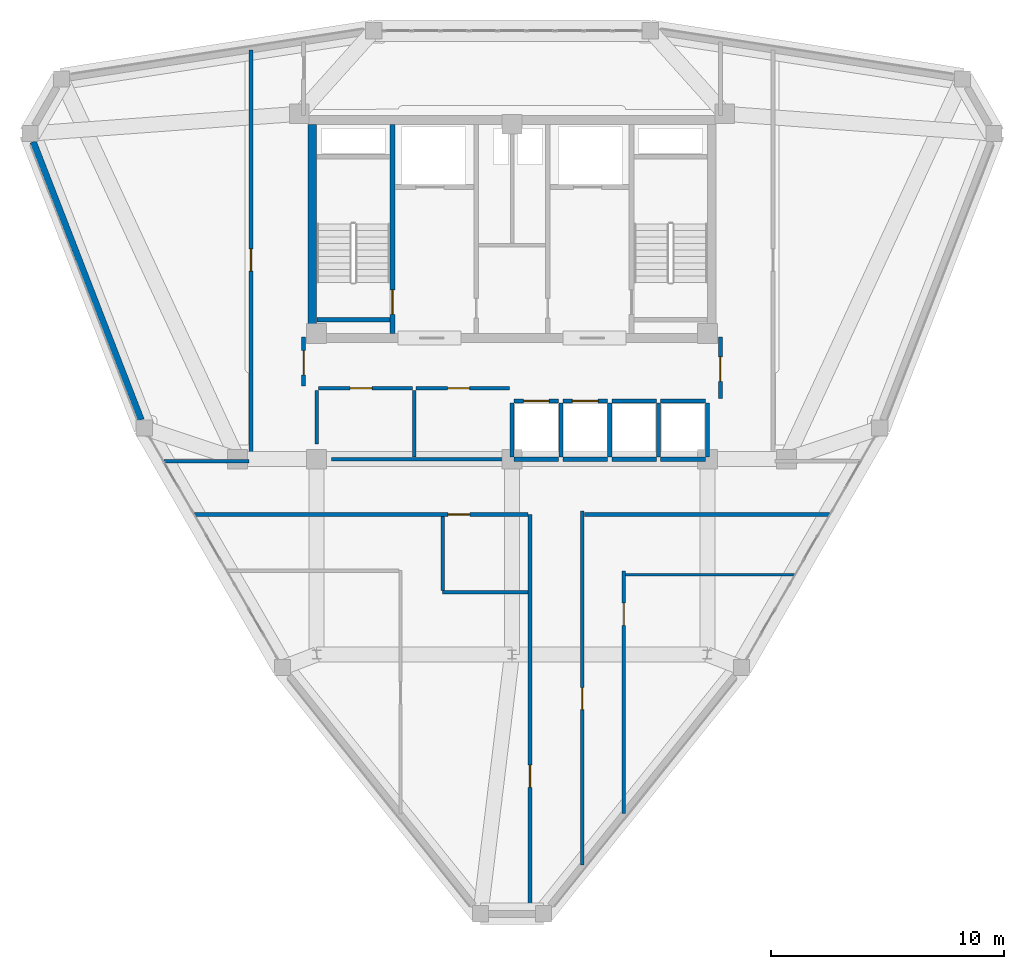
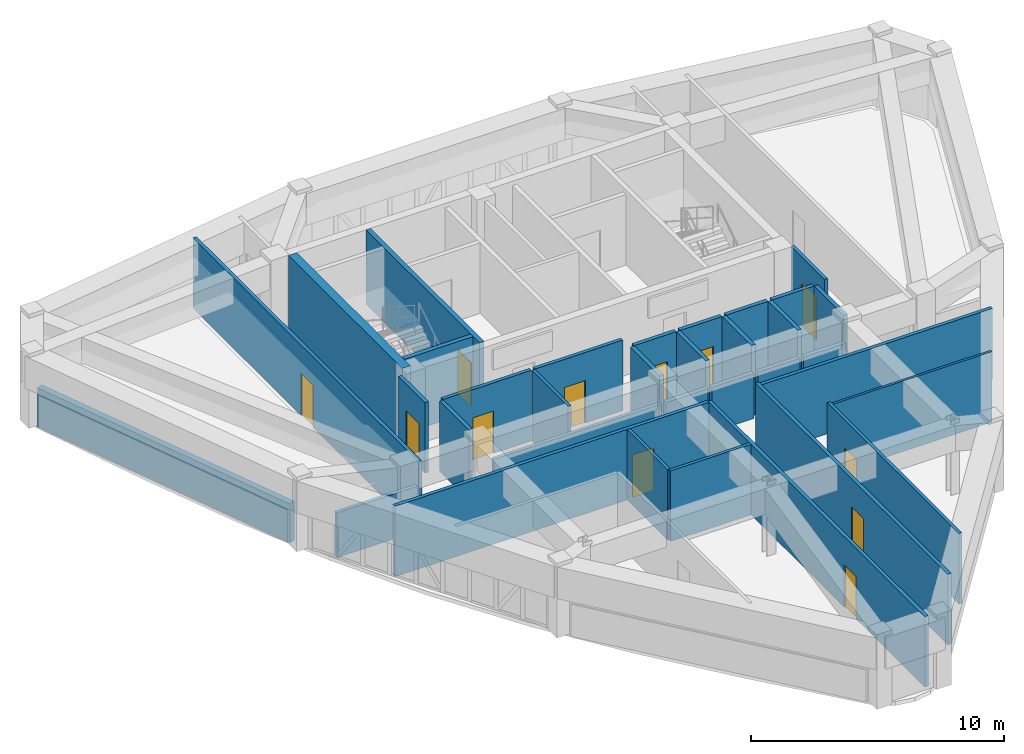
# One storey, part 11 of 14: 34 walls, 12 doors, 12 openings.
"""IFC4 building model written with IfcOpenShell, lengths in metres."""

from ifc_helpers import new_model, si_unit, derived_unit, direction, frame, frame_2d, origin, place, context, subcontext, project, spatial, rectangle, extrude, material, layer, layer_set, type_object, element, fill, save


model = new_model("IFC4")

# Units and contexts
model_context = context("Model", 3, precision=1e-05, world=origin(), true_north=direction((0.0, 1.0)))
body_context = subcontext(model_context, "Body", "Model", "MODEL_VIEW")
ifc_project = project(units=[si_unit("LENGTHUNIT", "METRE"), si_unit("AREAUNIT", "SQUARE_METRE"), si_unit("VOLUMEUNIT", "CUBIC_METRE"), si_unit("PLANEANGLEUNIT", "RADIAN"), si_unit("MASSUNIT", "GRAM", prefix="KILO"), derived_unit("THERMALTRANSMITTANCEUNIT", [(si_unit("POWERUNIT", "WATT"), 1), (si_unit("LENGTHUNIT", "METRE"), -2), (si_unit("THERMODYNAMICTEMPERATUREUNIT", "KELVIN"), -1)])], contexts=[model_context])

# Site, building, storey
site_placement = place(None, origin())
site = spatial("IfcSite", under=ifc_project, at=site_placement, CompositionType="ELEMENT")
building_placement = place(site_placement, origin())
building = spatial("IfcBuilding", under=site, at=building_placement, Name="Korsvarv Bourse and Concert Hall", CompositionType="ELEMENT")
storey_placement = place(building_placement, frame((0.0, 0.0, 257.39990234375)))
storey = spatial("IfcBuildingStorey", under=building, at=storey_placement, Name="L67", CompositionType="ELEMENT", Elevation=257.39990234375)

# Wall
ifc_material_1 = material(Name="Concrete C50/60", Category="concrete")
ifc_layer_1 = layer(ifc_material_1, 0.3798828125)
ifc_layer_set_1 = layer_set([ifc_layer_1], Name="Concrete C50/60")
wall_type_1 = type_object("IfcWallType", Name="WL-CORE-380", PredefinedType="SHEAR", material=ifc_layer_set_1)
wall_1_placement = place(storey_placement, frame((27.409912109375, 37.800048828125, 0.0), z_axis=(0.0, 0.0, 1.0), x_axis=(0.0, 1.0, 0.0)))
element("IfcWall", 1, at=wall_1_placement, inside=storey, type_object=wall_type_1, Name="L67 West Core Shear Wall", PredefinedType="SHEAR", context=body_context, shape_type="SweptSolid", body=[
    extrude(rectangle(XDim=9.0, YDim=0.3798828125, at=frame_2d((4.5, 0.0))), origin(), (0.0, 0.0, 1.0), 3.60009765625),
])

# Wall, opening, door
wall_2_placement = place(storey_placement, frame((30.860107421875, 37.81005859375, 0.0), z_axis=(0.0, 0.0, 1.0), x_axis=(0.0, 1.0, 0.0)))
wall_2 = element("IfcWall", 2, at=wall_2_placement, inside=storey, type_object=wall_type_1, Name="L67 stair shaft structural wall W-L67-ST1-E", PredefinedType="SHEAR", context=body_context, shape_type="SweptSolid", body=[
    extrude(rectangle(XDim=8.97998046875, YDim=0.199951171875, at=frame_2d((4.489990234375, 0.0))), origin(), (0.0, 0.0, 1.0), 3.60009765625),
])
opening_1_placement = place(wall_2_placement, frame((0.820068359375, 0.0, 0.0)))
opening_1 = element("IfcOpeningElement", 3, at=opening_1_placement, cuts=wall_2, Name="Opening D-01", PredefinedType="OPENING", context=body_context, shape_type="SweptSolid", body=[
    extrude(rectangle(XDim=1.050048828125, YDim=2.10009765625, at=frame_2d((0.52490234375, 1.050048828125))), frame((0.0, 0.10986328125, 0.0), z_axis=(0.0, -1.0, 0.0), x_axis=(1.0, 0.0, 0.0)), (0.0, 0.0, 1.0), 0.219970703125),
])
ifc_material_2 = material(Name="Steel S355 fire door", Category="steel")
door_type_1 = type_object("IfcDoorType", Name="DR-FD60", OperationType="NOTDEFINED", PredefinedType="DOOR", material=ifc_material_2)
door_1_placement = place(opening_1_placement, origin())
door_1 = element("IfcDoor", 4, at=door_1_placement, inside=storey, type_object=door_type_1, Name="L67 interior door DR-L67-ST1", OperationType="SINGLE_SWING_RIGHT", OverallHeight=2.10009765625, OverallWidth=1.050048828125, PredefinedType="DOOR", context=body_context, shape_type="SweptSolid", body=[
    extrude(rectangle(XDim=1.050048828125, YDim=2.10009765625, at=frame_2d((0.52490234375, 1.050048828125))), frame((0.0, 0.02490234375, 0.0), z_axis=(0.0, -1.0, 0.0), x_axis=(1.0, 0.0, 0.0)), (0.0, 0.0, 1.0), 0.050048828125),
])
fill(opening_1, door_1)

# Walls
wall_3_placement = place(storey_placement, frame((27.610107421875, 38.39990234375, 0.0), z_axis=(0.0, 0.0, 1.0), x_axis=(1.0, 0.0, 0.0)))
element("IfcWall", 5, at=wall_3_placement, inside=storey, type_object=wall_type_1, Name="L67 stair shaft structural wall W-L67-ST1-S", PredefinedType="SHEAR", context=body_context, shape_type="SweptSolid", body=[
    extrude(rectangle(XDim=3.139892578125, YDim=0.199951171875, at=frame_2d((1.56982421875, 0.0))), origin(), (0.0, 0.0, 1.0), 3.60009765625),
])
ifc_material_3 = material(Name="Precast concrete C45/55 with fluted terracotta pier", Category="concrete")
ifc_layer_2 = layer(ifc_material_3, 0.280029296875)
ifc_layer_set_2 = layer_set([ifc_layer_2], Name="Precast concrete C45/55 with fluted terracotta pier")
wall_type_2 = type_object("IfcWallType", Name="WL-EXT-TC2", PredefinedType="SOLIDWALL", material=ifc_layer_set_2)
wall_4_placement = place(storey_placement, frame((15.41259765625, 46.044189453125, 0.0), z_axis=(0.0, 0.0, 1.0), x_axis=(0.36191228283, -0.932212153716, 0.0)))
element("IfcWall", 6, at=wall_4_placement, inside=storey, type_object=wall_type_2, Name="L67 terracotta exterior wall EW-L67-B06", PredefinedType="SOLIDWALL", context=body_context, shape_type="SweptSolid", body=[
    extrude(rectangle(XDim=12.820556640625, YDim=0.280029296875, at=frame_2d((6.41015625, 0.0))), origin(), (0.0, 0.0, 1.0), 1.880126953125),
])
ifc_material_4 = material(Name="Double-stud fire-rated acoustic partition", Category="gypsum")
ifc_layer_3 = layer(ifc_material_4, 0.159912109375)
ifc_layer_set_3 = layer_set([ifc_layer_3], Name="Double-stud fire-rated acoustic partition")
wall_type_3 = type_object("IfcWallType", Name="WL-INT-EI60", PredefinedType="PARTITIONING", material=ifc_layer_set_3)
wall_5_placement = place(storey_placement, frame((28.25, 32.39990234375, 0.0), z_axis=(0.0, 0.0, 1.0), x_axis=(1.0, 0.0, 0.0)))
element("IfcWall", 7, at=wall_5_placement, inside=storey, type_object=wall_type_3, Name="L67 interior partition wall W-L67-FRD-S", PredefinedType="PARTITIONING", context=body_context, shape_type="SweptSolid", body=[
    extrude(rectangle(XDim=7.64990234375, YDim=0.159912109375, at=frame_2d((3.824951171875, 0.0))), origin(), (0.0, 0.0, 1.0), 2.170166015625),
])
wall_6_placement = place(storey_placement, frame((27.60009765625, 33.050048828125, 0.0), z_axis=(0.0, 0.0, 1.0), x_axis=(0.0, 1.0, 0.0)))
element("IfcWall", 8, at=wall_6_placement, inside=storey, type_object=wall_type_3, Name="L67 interior partition wall W-L67-FRD-W", PredefinedType="PARTITIONING", context=body_context, shape_type="SweptSolid", body=[
    extrude(rectangle(XDim=2.31005859375, YDim=0.159912109375, at=frame_2d((1.155029296875, 0.0))), origin(), (0.0, 0.0, 1.0), 3.41015625),
])

# Wall, opening, door
wall_7_placement = place(storey_placement, frame((27.68994140625, 35.449951171875, 0.0), z_axis=(0.0, 0.0, 1.0), x_axis=(1.0, 0.0, 0.0)))
wall_7 = element("IfcWall", 9, at=wall_7_placement, inside=storey, type_object=wall_type_3, Name="L67 interior partition wall W-L67-FRD-N1", PredefinedType="PARTITIONING", context=body_context, shape_type="SweptSolid", body=[
    extrude(rectangle(XDim=4.030029296875, YDim=0.159912109375, at=frame_2d((2.01513671875, 0.0))), origin(), (0.0, 0.0, 1.0), 3.41015625),
])
opening_2_placement = place(wall_7_placement, frame((1.35009765625, 0.0, 0.0)))
opening_2 = element("IfcOpeningElement", 10, at=opening_2_placement, cuts=wall_7, Name="Opening D-03", PredefinedType="OPENING", context=body_context, shape_type="SweptSolid", body=[
    extrude(rectangle(XDim=0.949951171875, YDim=2.050048828125, at=frame_2d((0.47509765625, 1.02490234375))), frame((0.0, 0.08984375, 0.0), z_axis=(0.0, -1.0, 0.0), x_axis=(1.0, 0.0, 0.0)), (0.0, 0.0, 1.0), 0.179931640625),
])
ifc_material_5 = material(Name="Nordic oak acoustic office door", Category="wood")
door_type_2 = type_object("IfcDoorType", Name="DR-INT-1", OperationType="NOTDEFINED", PredefinedType="DOOR", material=ifc_material_5)
door_2_placement = place(opening_2_placement, origin())
door_2 = element("IfcDoor", 11, at=door_2_placement, inside=storey, type_object=door_type_2, Name="L67 interior door DR-L67-FRDN1", OperationType="SINGLE_SWING_RIGHT", OverallHeight=2.050048828125, OverallWidth=0.949951171875, PredefinedType="DOOR", context=body_context, shape_type="SweptSolid", body=[
    extrude(rectangle(XDim=0.949951171875, YDim=2.050048828125, at=frame_2d((0.47509765625, 1.02490234375))), frame((0.0, 0.02490234375, 0.0), z_axis=(0.0, -1.0, 0.0), x_axis=(1.0, 0.0, 0.0)), (0.0, 0.0, 1.0), 0.050048828125),
])
fill(opening_2, door_2)

wall_8_placement = place(storey_placement, frame((31.8798828125, 35.449951171875, 0.0), z_axis=(0.0, 0.0, 1.0), x_axis=(1.0, 0.0, 0.0)))
wall_8 = element("IfcWall", 12, at=wall_8_placement, inside=storey, type_object=wall_type_3, Name="L67 interior partition wall W-L67-FRD-N2", PredefinedType="PARTITIONING", context=body_context, shape_type="SweptSolid", body=[
    extrude(rectangle(XDim=4.02001953125, YDim=0.159912109375, at=frame_2d((2.010009765625, 0.0))), origin(), (0.0, 0.0, 1.0), 3.41015625),
])
opening_3_placement = place(wall_8_placement, frame((1.35009765625, 0.0, 0.0)))
opening_3 = element("IfcOpeningElement", 13, at=opening_3_placement, cuts=wall_8, Name="Opening D-03", PredefinedType="OPENING", context=body_context, shape_type="SweptSolid", body=[
    extrude(rectangle(XDim=0.949951171875, YDim=2.050048828125, at=frame_2d((0.47509765625, 1.02490234375))), frame((0.0, 0.08984375, 0.0), z_axis=(0.0, -1.0, 0.0), x_axis=(1.0, 0.0, 0.0)), (0.0, 0.0, 1.0), 0.179931640625),
])
door_3_placement = place(opening_3_placement, origin())
door_3 = element("IfcDoor", 14, at=door_3_placement, inside=storey, type_object=door_type_2, Name="L67 interior door DR-L67-FRDN2", OperationType="SINGLE_SWING_LEFT", OverallHeight=2.050048828125, OverallWidth=0.949951171875, PredefinedType="DOOR", context=body_context, shape_type="SweptSolid", body=[
    extrude(rectangle(XDim=0.949951171875, YDim=2.050048828125, at=frame_2d((0.47509765625, 1.02490234375))), frame((0.0, 0.02490234375, 0.0), z_axis=(0.0, -1.0, 0.0), x_axis=(1.0, 0.0, 0.0)), (0.0, 0.0, 1.0), 0.050048828125),
])
fill(opening_3, door_3)

wall_9_placement = place(storey_placement, frame((27.0400390625, 35.5400390625, 0.0), z_axis=(0.0, 0.0, 1.0), x_axis=(0.0, 1.0, 0.0)))
wall_9 = element("IfcWall", 15, at=wall_9_placement, inside=storey, type_object=wall_type_3, Name="L67 interior partition wall W-L67-LOB-WL", PredefinedType="PARTITIONING", context=body_context, shape_type="SweptSolid", body=[
    extrude(rectangle(XDim=2.10986328125, YDim=0.159912109375, at=frame_2d((1.054931640625, 0.0))), origin(), (0.0, 0.0, 1.0), 3.41015625),
])
opening_4_placement = place(wall_9_placement, frame((0.47998046875, 0.0, 0.0)))
opening_4 = element("IfcOpeningElement", 16, at=opening_4_placement, cuts=wall_9, Name="Opening D-01", PredefinedType="OPENING", context=body_context, shape_type="SweptSolid", body=[
    extrude(rectangle(XDim=1.050048828125, YDim=2.10009765625, at=frame_2d((0.52490234375, 1.050048828125))), frame((0.0, 0.08984375, 0.0), z_axis=(0.0, -1.0, 0.0), x_axis=(1.0, 0.0, 0.0)), (0.0, 0.0, 1.0), 0.179931640625),
])
door_4_placement = place(opening_4_placement, frame((1.050048828125, 0.0, 0.0), z_axis=(0.0, 0.0, 1.0), x_axis=(-1.0, 0.0, 0.0)))
door_4 = element("IfcDoor", 17, at=door_4_placement, inside=storey, type_object=door_type_1, Name="L67 interior door DR-L67-LOBW", OperationType="SINGLE_SWING_RIGHT", OverallHeight=2.10009765625, OverallWidth=1.050048828125, PredefinedType="DOOR", context=body_context, shape_type="SweptSolid", body=[
    extrude(rectangle(XDim=1.050048828125, YDim=2.10009765625, at=frame_2d((0.52490234375, 1.050048828125))), frame((0.0, 0.02490234375, 0.0), z_axis=(0.0, -1.0, 0.0), x_axis=(1.0, 0.0, 0.0)), (0.0, 0.0, 1.0), 0.050048828125),
])
fill(opening_4, door_4)

wall_10_placement = place(storey_placement, frame((44.9599609375, 35.0, 0.0), z_axis=(0.0, 0.0, 1.0), x_axis=(0.0, 1.0, 0.0)))
wall_10 = element("IfcWall", 18, at=wall_10_placement, inside=storey, type_object=wall_type_3, Name="L67 interior partition wall W-L67-LOB-E", PredefinedType="PARTITIONING", context=body_context, shape_type="SweptSolid", body=[
    extrude(rectangle(XDim=2.64990234375, YDim=0.159912109375, at=frame_2d((1.324951171875, 0.0))), origin(), (0.0, 0.0, 1.0), 3.41015625),
])
opening_5_placement = place(wall_10_placement, frame((0.75, 0.0, 0.0)))
opening_5 = element("IfcOpeningElement", 19, at=opening_5_placement, cuts=wall_10, Name="Opening D-01", PredefinedType="OPENING", context=body_context, shape_type="SweptSolid", body=[
    extrude(rectangle(XDim=1.050048828125, YDim=2.10009765625, at=frame_2d((0.52490234375, 1.050048828125))), frame((0.0, 0.08984375, 0.0), z_axis=(0.0, -1.0, 0.0), x_axis=(1.0, 0.0, 0.0)), (0.0, 0.0, 1.0), 0.179931640625),
])
door_5_placement = place(opening_5_placement, origin())
door_5 = element("IfcDoor", 20, at=door_5_placement, inside=storey, type_object=door_type_1, Name="L67 interior door DR-L67-LOBE", OperationType="SINGLE_SWING_LEFT", OverallHeight=2.10009765625, OverallWidth=1.050048828125, PredefinedType="DOOR", context=body_context, shape_type="SweptSolid", body=[
    extrude(rectangle(XDim=1.050048828125, YDim=2.10009765625, at=frame_2d((0.52490234375, 1.050048828125))), frame((0.0, 0.02490234375, 0.0), z_axis=(0.0, -1.0, 0.0), x_axis=(1.0, 0.0, 0.0)), (0.0, 0.0, 1.0), 0.050048828125),
])
fill(opening_5, door_5)

wall_11_placement = place(storey_placement, frame((24.77490234375, 32.159912109375, 0.0), z_axis=(0.0, 0.0, 1.0), x_axis=(0.0, 1.0, 0.0)))
wall_11 = element("IfcWall", 21, at=wall_11_placement, inside=storey, type_object=wall_type_3, Name="L67 interior partition wall W-L67-TCOR-02", PredefinedType="PARTITIONING", context=body_context, shape_type="SweptSolid", body=[
    extrude(rectangle(XDim=17.8271484375, YDim=0.159912109375, at=frame_2d((8.91357421875, 0.0))), origin(), (0.0, 0.0, 1.0), 3.41015625),
])
opening_6_placement = place(wall_11_placement, frame((8.330322265625, 0.0, 0.0)))
opening_6 = element("IfcOpeningElement", 22, at=opening_6_placement, cuts=wall_11, Name="Opening D-02", PredefinedType="OPENING", context=body_context, shape_type="SweptSolid", body=[
    extrude(rectangle(XDim=0.949951171875, YDim=2.050048828125, at=frame_2d((0.47509765625, 1.02490234375))), frame((0.0, 0.08984375, 0.0), z_axis=(0.0, -1.0, 0.0), x_axis=(1.0, 0.0, 0.0)), (0.0, 0.0, 1.0), 0.179931640625),
])
ifc_material_6 = material(Name="Timber and steel acoustic fire door", Category="wood")
door_type_3 = type_object("IfcDoorType", Name="DR-FD30", OperationType="NOTDEFINED", PredefinedType="DOOR", material=ifc_material_6)
door_6_placement = place(opening_6_placement, origin())
door_6 = element("IfcDoor", 23, at=door_6_placement, inside=storey, type_object=door_type_3, Name="L67 interior door DR-L67-TCOR-NWC7", OperationType="SINGLE_SWING_LEFT", OverallHeight=2.050048828125, OverallWidth=0.949951171875, PredefinedType="DOOR", context=body_context, shape_type="SweptSolid", body=[
    extrude(rectangle(XDim=0.949951171875, YDim=2.050048828125, at=frame_2d((0.47509765625, 1.02490234375))), frame((0.0, 0.02490234375, 0.0), z_axis=(0.0, -1.0, 0.0), x_axis=(1.0, 0.0, 0.0)), (0.0, 0.0, 1.0), 0.050048828125),
])
fill(opening_6, door_6)

wall_12_placement = place(storey_placement, frame((36.77490234375, 12.871826171875, 0.0), z_axis=(0.0, 0.0, 1.0), x_axis=(0.0, 1.0, 0.0)))
wall_12 = element("IfcWall", 24, at=wall_12_placement, inside=storey, type_object=wall_type_3, Name="L67 interior partition wall W-L67-TCOR-03", PredefinedType="PARTITIONING", context=body_context, shape_type="SweptSolid", body=[
    extrude(rectangle(XDim=17.158203125, YDim=0.159912109375, at=frame_2d((8.5791015625, 0.0))), origin(), (0.0, 0.0, 1.0), 3.41015625),
])
opening_7_placement = place(wall_12_placement, frame((5.42138671875, 0.0, 0.0)))
opening_7 = element("IfcOpeningElement", 25, at=opening_7_placement, cuts=wall_12, Name="Opening D-02", PredefinedType="OPENING", context=body_context, shape_type="SweptSolid", body=[
    extrude(rectangle(XDim=0.949951171875, YDim=2.050048828125, at=frame_2d((0.47509765625, 1.02490234375))), frame((0.0, 0.08984375, 0.0), z_axis=(0.0, -1.0, 0.0), x_axis=(1.0, 0.0, 0.0)), (0.0, 0.0, 1.0), 0.179931640625),
])
door_7_placement = place(opening_7_placement, origin())
door_7 = element("IfcDoor", 26, at=door_7_placement, inside=storey, type_object=door_type_3, Name="L67 interior door DR-L67-TCOR-SWB6", OperationType="SINGLE_SWING_RIGHT", OverallHeight=2.050048828125, OverallWidth=0.949951171875, PredefinedType="DOOR", context=body_context, shape_type="SweptSolid", body=[
    extrude(rectangle(XDim=0.949951171875, YDim=2.050048828125, at=frame_2d((0.47509765625, 1.02490234375))), frame((0.0, 0.02490234375, 0.0), z_axis=(0.0, -1.0, 0.0), x_axis=(1.0, 0.0, 0.0)), (0.0, 0.0, 1.0), 0.050048828125),
])
fill(opening_7, door_7)

wall_13_placement = place(storey_placement, frame((39.02490234375, 14.9482421875, 0.0), z_axis=(0.0, 0.0, 1.0), x_axis=(0.0, 1.0, 0.0)))
wall_13 = element("IfcWall", 27, at=wall_13_placement, inside=storey, type_object=wall_type_3, Name="L67 interior partition wall W-L67-TCOR-04", PredefinedType="PARTITIONING", context=body_context, shape_type="SweptSolid", body=[
    extrude(rectangle(XDim=15.231689453125, YDim=0.159912109375, at=frame_2d((7.61572265625, 0.0))), origin(), (0.0, 0.0, 1.0), 3.41015625),
])
opening_8_placement = place(wall_13_placement, frame((6.6796875, 0.0, 0.0)))
opening_8 = element("IfcOpeningElement", 28, at=opening_8_placement, cuts=wall_13, Name="Opening D-02", PredefinedType="OPENING", context=body_context, shape_type="SweptSolid", body=[
    extrude(rectangle(XDim=0.949951171875, YDim=2.050048828125, at=frame_2d((0.47509765625, 1.02490234375))), frame((0.0, 0.08984375, 0.0), z_axis=(0.0, -1.0, 0.0), x_axis=(1.0, 0.0, 0.0)), (0.0, 0.0, 1.0), 0.179931640625),
])
door_8_placement = place(opening_8_placement, origin())
door_8 = element("IfcDoor", 29, at=door_8_placement, inside=storey, type_object=door_type_3, Name="L67 interior door DR-L67-TCOR-SEB2", OperationType="SINGLE_SWING_LEFT", OverallHeight=2.050048828125, OverallWidth=0.949951171875, PredefinedType="DOOR", context=body_context, shape_type="SweptSolid", body=[
    extrude(rectangle(XDim=0.949951171875, YDim=2.050048828125, at=frame_2d((0.47509765625, 1.02490234375))), frame((0.0, 0.02490234375, 0.0), z_axis=(0.0, -1.0, 0.0), x_axis=(1.0, 0.0, 0.0)), (0.0, 0.0, 1.0), 0.050048828125),
])
fill(opening_8, door_8)

wall_14_placement = place(storey_placement, frame((22.35400390625, 30.02490234375, 0.0), z_axis=(0.0, 0.0, 1.0), x_axis=(1.0, 0.0, 0.0)))
wall_14 = element("IfcWall", 30, at=wall_14_placement, inside=storey, type_object=wall_type_3, Name="L67 interior partition wall W-L67-TCOR-05", PredefinedType="PARTITIONING", context=body_context, shape_type="SweptSolid", body=[
    extrude(rectangle(XDim=14.339111328125, YDim=0.159912109375, at=frame_2d((7.16943359375, 0.0))), origin(), (0.0, 0.0, 1.0), 3.41015625),
])
opening_9_placement = place(wall_14_placement, frame((10.885986328125, 0.0, 0.0)))
opening_9 = element("IfcOpeningElement", 31, at=opening_9_placement, cuts=wall_14, Name="Opening D-02", PredefinedType="OPENING", context=body_context, shape_type="SweptSolid", body=[
    extrude(rectangle(XDim=0.949951171875, YDim=2.050048828125, at=frame_2d((0.47509765625, 1.02490234375))), frame((0.0, 0.08984375, 0.0), z_axis=(0.0, -1.0, 0.0), x_axis=(1.0, 0.0, 0.0)), (0.0, 0.0, 1.0), 0.179931640625),
])
door_9_placement = place(opening_9_placement, origin())
door_9 = element("IfcDoor", 32, at=door_9_placement, inside=storey, type_object=door_type_3, Name="L67 interior door DR-L67-TCOR-RWC", OperationType="SINGLE_SWING_RIGHT", OverallHeight=2.050048828125, OverallWidth=0.949951171875, PredefinedType="DOOR", context=body_context, shape_type="SweptSolid", body=[
    extrude(rectangle(XDim=0.949951171875, YDim=2.050048828125, at=frame_2d((0.47509765625, 1.02490234375))), frame((0.0, 0.02490234375, 0.0), z_axis=(0.0, -1.0, 0.0), x_axis=(1.0, 0.0, 0.0)), (0.0, 0.0, 1.0), 0.050048828125),
])
fill(opening_9, door_9)

# Walls
wall_15_placement = place(storey_placement, frame((39.10693359375, 30.02490234375, 0.0), z_axis=(0.0, 0.0, 1.0), x_axis=(1.0, 0.0, 0.0)))
element("IfcWall", 33, at=wall_15_placement, inside=storey, type_object=wall_type_3, Name="L67 interior partition wall W-L67-TCOR-06", PredefinedType="PARTITIONING", context=body_context, shape_type="SweptSolid", body=[
    extrude(rectangle(XDim=10.5390625, YDim=0.159912109375, at=frame_2d((5.26953125, 0.0))), origin(), (0.0, 0.0, 1.0), 3.41015625),
])
wall_16_placement = place(storey_placement, frame((21.03173828125, 32.31494140625, 0.0), z_axis=(0.0, 0.0, 1.0), x_axis=(1.0, 0.0, 0.0)))
element("IfcWall", 34, at=wall_16_placement, inside=storey, type_object=wall_type_3, Name="L67 interior partition wall W-L67-TCOR-07", PredefinedType="PARTITIONING", context=body_context, shape_type="SweptSolid", body=[
    extrude(rectangle(XDim=3.661376953125, YDim=0.159912109375, at=frame_2d((1.83056640625, 0.0))), origin(), (0.0, 0.0, 1.0), 2.170166015625),
])

# Wall, opening, door
ifc_material_7 = material(Name="Gypsum-clad autoclaved concrete shaft wall C30/37", Category="concrete")
ifc_layer_4 = layer(ifc_material_7, 0.179931640625)
ifc_layer_set_4 = layer_set([ifc_layer_4], Name="Gypsum-clad autoclaved concrete shaft wall C30/37")
wall_type_4 = type_object("IfcWallType", Name="WL-INT-EI90", PredefinedType="PARTITIONING", material=ifc_layer_set_4)
wall_17_placement = place(storey_placement, frame((36.090087890625, 34.89990234375, 0.0), z_axis=(0.0, 0.0, 1.0), x_axis=(1.0, 0.0, 0.0)))
wall_17 = element("IfcWall", 35, at=wall_17_placement, inside=storey, type_object=wall_type_4, Name="L67 interior partition wall W-L67-SHFN-PH1", PredefinedType="PARTITIONING", context=body_context, shape_type="SweptSolid", body=[
    extrude(rectangle(XDim=1.919921875, YDim=0.179931640625, at=frame_2d((0.9599609375, 0.0))), origin(), (0.0, 0.0, 1.0), 3.41015625),
])
opening_10_placement = place(wall_17_placement, frame((0.409912109375, 0.0, 0.0)))
opening_10 = element("IfcOpeningElement", 36, at=opening_10_placement, cuts=wall_17, Name="Opening LD-2", PredefinedType="OPENING", context=body_context, shape_type="SweptSolid", body=[
    extrude(rectangle(XDim=1.10009765625, YDim=2.10009765625, at=frame_2d((0.550048828125, 1.050048828125))), frame((0.0, 0.10009765625, 0.0), z_axis=(0.0, -1.0, 0.0), x_axis=(1.0, 0.0, 0.0)), (0.0, 0.0, 1.0), 0.199951171875),
])
ifc_material_8 = material(Name="Brushed stainless Steel S355 lift landing door", Category="steel")
door_type_4 = type_object("IfcDoorType", Name="DR-LIFT-P", OperationType="DOUBLE_DOOR_SLIDING", PredefinedType="DOOR", material=ifc_material_8)
door_10_placement = place(opening_10_placement, origin())
door_10 = element("IfcDoor", 37, at=door_10_placement, inside=storey, type_object=door_type_4, Name="L67 lift sliding landing door LD-L67-PH1", OperationType="DOUBLE_DOOR_SLIDING", OverallHeight=2.10009765625, OverallWidth=1.10009765625, PredefinedType="DOOR", context=body_context, shape_type="SweptSolid", body=[
    extrude(rectangle(XDim=1.10009765625, YDim=2.10009765625, at=frame_2d((0.550048828125, 1.050048828125))), frame((0.0, 0.02490234375, 0.0), z_axis=(0.0, -1.0, 0.0), x_axis=(1.0, 0.0, 0.0)), (0.0, 0.0, 1.0), 0.050048828125),
])
fill(opening_10, door_10)

# Walls
wall_18_placement = place(storey_placement, frame((36.090087890625, 32.39990234375, 0.0), z_axis=(0.0, 0.0, 1.0), x_axis=(1.0, 0.0, 0.0)))
element("IfcWall", 38, at=wall_18_placement, inside=storey, type_object=wall_type_4, Name="L67 interior partition wall W-L67-SHFS-PH1", PredefinedType="PARTITIONING", context=body_context, shape_type="SweptSolid", body=[
    extrude(rectangle(XDim=1.919921875, YDim=0.179931640625, at=frame_2d((0.9599609375, 0.0))), origin(), (0.0, 0.0, 1.0), 2.170166015625),
])
wall_19_placement = place(storey_placement, frame((36.0, 32.489990234375, 0.0), z_axis=(0.0, 0.0, 1.0), x_axis=(0.0, 1.0, 0.0)))
element("IfcWall", 39, at=wall_19_placement, inside=storey, type_object=wall_type_4, Name="L67 interior partition wall W-L67-SHFW-PH1", PredefinedType="PARTITIONING", context=body_context, shape_type="SweptSolid", body=[
    extrude(rectangle(XDim=2.320068359375, YDim=0.179931640625, at=frame_2d((1.16015625, 0.0))), origin(), (0.0, 0.0, 1.0), 3.41015625),
])

# Wall, opening, door
wall_20_placement = place(storey_placement, frame((38.18994140625, 34.89990234375, 0.0), z_axis=(0.0, 0.0, 1.0), x_axis=(1.0, 0.0, 0.0)))
wall_20 = element("IfcWall", 40, at=wall_20_placement, inside=storey, type_object=wall_type_4, Name="L67 interior partition wall W-L67-SHFN-PH2", PredefinedType="PARTITIONING", context=body_context, shape_type="SweptSolid", body=[
    extrude(rectangle(XDim=1.920166015625, YDim=0.179931640625, at=frame_2d((0.9599609375, 0.0))), origin(), (0.0, 0.0, 1.0), 3.41015625),
])
opening_11_placement = place(wall_20_placement, frame((0.409912109375, 0.0, 0.0)))
opening_11 = element("IfcOpeningElement", 41, at=opening_11_placement, cuts=wall_20, Name="Opening LD-2", PredefinedType="OPENING", context=body_context, shape_type="SweptSolid", body=[
    extrude(rectangle(XDim=1.10009765625, YDim=2.10009765625, at=frame_2d((0.550048828125, 1.050048828125))), frame((0.0, 0.10009765625, 0.0), z_axis=(0.0, -1.0, 0.0), x_axis=(1.0, 0.0, 0.0)), (0.0, 0.0, 1.0), 0.199951171875),
])
door_11_placement = place(opening_11_placement, origin())
door_11 = element("IfcDoor", 42, at=door_11_placement, inside=storey, type_object=door_type_4, Name="L67 lift sliding landing door LD-L67-PH2", OperationType="DOUBLE_DOOR_SLIDING", OverallHeight=2.10009765625, OverallWidth=1.10009765625, PredefinedType="DOOR", context=body_context, shape_type="SweptSolid", body=[
    extrude(rectangle(XDim=1.10009765625, YDim=2.10009765625, at=frame_2d((0.550048828125, 1.050048828125))), frame((0.0, 0.02490234375, 0.0), z_axis=(0.0, -1.0, 0.0), x_axis=(1.0, 0.0, 0.0)), (0.0, 0.0, 1.0), 0.050048828125),
])
fill(opening_11, door_11)

# Walls
wall_21_placement = place(storey_placement, frame((38.18994140625, 32.39990234375, 0.0), z_axis=(0.0, 0.0, 1.0), x_axis=(1.0, 0.0, 0.0)))
element("IfcWall", 43, at=wall_21_placement, inside=storey, type_object=wall_type_4, Name="L67 interior partition wall W-L67-SHFS-PH2", PredefinedType="PARTITIONING", context=body_context, shape_type="SweptSolid", body=[
    extrude(rectangle(XDim=1.920166015625, YDim=0.179931640625, at=frame_2d((0.9599609375, 0.0))), origin(), (0.0, 0.0, 1.0), 2.170166015625),
])
wall_22_placement = place(storey_placement, frame((38.10009765625, 32.489990234375, 0.0), z_axis=(0.0, 0.0, 1.0), x_axis=(0.0, 1.0, 0.0)))
element("IfcWall", 44, at=wall_22_placement, inside=storey, type_object=wall_type_4, Name="L67 interior partition wall W-L67-SHFW-PH2", PredefinedType="PARTITIONING", context=body_context, shape_type="SweptSolid", body=[
    extrude(rectangle(XDim=2.320068359375, YDim=0.179931640625, at=frame_2d((1.16015625, 0.0))), origin(), (0.0, 0.0, 1.0), 3.41015625),
])
wall_23_placement = place(storey_placement, frame((40.2900390625, 34.89990234375, 0.0), z_axis=(0.0, 0.0, 1.0), x_axis=(1.0, 0.0, 0.0)))
element("IfcWall", 45, at=wall_23_placement, inside=storey, type_object=wall_type_4, Name="L67 interior partition wall W-L67-SHFN-PO1", PredefinedType="PARTITIONING", context=body_context, shape_type="SweptSolid", body=[
    extrude(rectangle(XDim=1.919921875, YDim=0.179931640625, at=frame_2d((0.9599609375, 0.0))), origin(), (0.0, 0.0, 1.0), 3.41015625),
])
wall_24_placement = place(storey_placement, frame((40.2900390625, 32.39990234375, 0.0), z_axis=(0.0, 0.0, 1.0), x_axis=(1.0, 0.0, 0.0)))
element("IfcWall", 46, at=wall_24_placement, inside=storey, type_object=wall_type_4, Name="L67 interior partition wall W-L67-SHFS-PO1", PredefinedType="PARTITIONING", context=body_context, shape_type="SweptSolid", body=[
    extrude(rectangle(XDim=1.919921875, YDim=0.179931640625, at=frame_2d((0.9599609375, 0.0))), origin(), (0.0, 0.0, 1.0), 2.170166015625),
])
wall_25_placement = place(storey_placement, frame((40.199951171875, 32.489990234375, 0.0), z_axis=(0.0, 0.0, 1.0), x_axis=(0.0, 1.0, 0.0)))
element("IfcWall", 47, at=wall_25_placement, inside=storey, type_object=wall_type_4, Name="L67 interior partition wall W-L67-SHFW-PO1", PredefinedType="PARTITIONING", context=body_context, shape_type="SweptSolid", body=[
    extrude(rectangle(XDim=2.320068359375, YDim=0.179931640625, at=frame_2d((1.16015625, 0.0))), origin(), (0.0, 0.0, 1.0), 3.41015625),
])
wall_26_placement = place(storey_placement, frame((42.389892578125, 34.89990234375, 0.0), z_axis=(0.0, 0.0, 1.0), x_axis=(1.0, 0.0, 0.0)))
element("IfcWall", 48, at=wall_26_placement, inside=storey, type_object=wall_type_4, Name="L67 interior partition wall W-L67-SHFN-PO2", PredefinedType="PARTITIONING", context=body_context, shape_type="SweptSolid", body=[
    extrude(rectangle(XDim=1.920166015625, YDim=0.179931640625, at=frame_2d((0.9599609375, 0.0))), origin(), (0.0, 0.0, 1.0), 3.41015625),
])
wall_27_placement = place(storey_placement, frame((42.389892578125, 32.39990234375, 0.0), z_axis=(0.0, 0.0, 1.0), x_axis=(1.0, 0.0, 0.0)))
element("IfcWall", 49, at=wall_27_placement, inside=storey, type_object=wall_type_4, Name="L67 interior partition wall W-L67-SHFS-PO2", PredefinedType="PARTITIONING", context=body_context, shape_type="SweptSolid", body=[
    extrude(rectangle(XDim=1.920166015625, YDim=0.179931640625, at=frame_2d((0.9599609375, 0.0))), origin(), (0.0, 0.0, 1.0), 2.170166015625),
])
for number, where, z_axis, x_axis, name in (
    (50, (42.300048828125, 32.489990234375, 0.0), (0.0, 0.0, 1.0), (0.0, 1.0, 0.0), "L67 interior partition wall W-L67-SHFW-PO2"),
    (51, (44.39990234375, 32.489990234375, 0.0), (0.0, 0.0, 1.0), (0.0, 1.0, 0.0), "L67 interior partition wall W-L67-SHFE-END"),
):
    element("IfcWall", number, at=place(storey_placement, frame(where, z_axis=z_axis, x_axis=x_axis)), inside=storey, type_object=wall_type_4, Name=name, PredefinedType="PARTITIONING", context=body_context, shape_type="SweptSolid", body=[
        extrude(rectangle(XDim=2.320068359375, YDim=0.179931640625, at=frame_2d((1.16015625, 0.0))), origin(), (0.0, 0.0, 1.0), 3.41015625),
    ])
ifc_material_9 = material(Name="Demountable acoustic glass and aluminium dealing partition", Category="aluminium")
ifc_layer_5 = layer(ifc_material_9, 0.110107421875)
ifc_layer_set_5 = layer_set([ifc_layer_5], Name="Demountable acoustic glass and aluminium dealing partition")
wall_type_5 = type_object("IfcWallType", Name="WL-INT-MOV", PredefinedType="MOVABLE", material=ifc_layer_set_5)
wall_28_placement = place(storey_placement, frame((40.876953125, 27.43505859375, 0.0), z_axis=(0.0, 0.0, 1.0), x_axis=(1.0, 0.0, 0.0)))
element("IfcWall", 52, at=wall_28_placement, inside=storey, type_object=wall_type_5, Name="L67 interior partition wall W-L67-TCOR-14", PredefinedType="MOVABLE", context=body_context, shape_type="SweptSolid", body=[
    extrude(rectangle(XDim=7.27392578125, YDim=0.110107421875, at=frame_2d((3.636962890625, 0.0))), origin(), (0.0, 0.0, 1.0), 3.41015625),
])
ifc_material_10 = material(Name="Insulated steel-stud office acoustic partition", Category="gypsum")
ifc_layer_6 = layer(ifc_material_10, 0.139892578125)
ifc_layer_set_6 = layer_set([ifc_layer_6], Name="Insulated steel-stud office acoustic partition")
wall_type_6 = type_object("IfcWallType", Name="WL-INT-P1", PredefinedType="PARTITIONING", material=ifc_layer_set_6)
wall_29_placement = place(storey_placement, frame((31.800048828125, 32.489990234375, 0.0), z_axis=(0.0, 0.0, 1.0), x_axis=(0.0, 1.0, 0.0)))
element("IfcWall", 53, at=wall_29_placement, inside=storey, type_object=wall_type_6, Name="L67 interior partition wall W-L67-FRD-V", PredefinedType="PARTITIONING", context=body_context, shape_type="SweptSolid", body=[
    extrude(rectangle(XDim=2.8701171875, YDim=0.139892578125, at=frame_2d((1.43505859375, 0.0))), origin(), (0.0, 0.0, 1.0), 3.41015625),
])

# Wall, opening, door
wall_30_placement = place(storey_placement, frame((40.804931640625, 17.163330078125, 0.0), z_axis=(0.0, 0.0, 1.0), x_axis=(0.0, 1.0, 0.0)))
wall_30 = element("IfcWall", 54, at=wall_30_placement, inside=storey, type_object=wall_type_6, Name="L67 interior partition wall W-L67-TCOR-12", PredefinedType="PARTITIONING", context=body_context, shape_type="SweptSolid", body=[
    extrude(rectangle(XDim=10.4267578125, YDim=0.139892578125, at=frame_2d((5.21337890625, 0.0))), origin(), (0.0, 0.0, 1.0), 3.41015625),
])
opening_12_placement = place(wall_30_placement, frame((8.095703125, 0.0, 0.0)))
opening_12 = element("IfcOpeningElement", 55, at=opening_12_placement, cuts=wall_30, Name="Opening D-03", PredefinedType="OPENING", context=body_context, shape_type="SweptSolid", body=[
    extrude(rectangle(XDim=0.949951171875, YDim=2.050048828125, at=frame_2d((0.47509765625, 1.02490234375))), frame((0.0, 0.080078125, 0.0), z_axis=(0.0, -1.0, 0.0), x_axis=(1.0, 0.0, 0.0)), (0.0, 0.0, 1.0), 0.159912109375),
])
door_12_placement = place(opening_12_placement, origin())
door_12 = element("IfcDoor", 56, at=door_12_placement, inside=storey, type_object=door_type_2, Name="L67 interior door DR-L67-TCOR-SAPE3", OperationType="SINGLE_SWING_LEFT", OverallHeight=2.050048828125, OverallWidth=0.949951171875, PredefinedType="DOOR", context=body_context, shape_type="SweptSolid", body=[
    extrude(rectangle(XDim=0.949951171875, YDim=2.050048828125, at=frame_2d((0.47509765625, 1.02490234375))), frame((0.0, 0.02490234375, 0.0), z_axis=(0.0, -1.0, 0.0), x_axis=(1.0, 0.0, 0.0)), (0.0, 0.0, 1.0), 0.050048828125),
])
fill(opening_12, door_12)

# Walls
wall_31_placement = place(storey_placement, frame((33.02001953125, 26.675048828125, 0.0), z_axis=(0.0, 0.0, 1.0), x_axis=(1.0, 0.0, 0.0)))
element("IfcWall", 57, at=wall_31_placement, inside=storey, type_object=wall_type_6, Name="L67 interior partition wall W-L67-TCOR-15", PredefinedType="PARTITIONING", context=body_context, shape_type="SweptSolid", body=[
    extrude(rectangle(XDim=3.673095703125, YDim=0.139892578125, at=frame_2d((1.83642578125, 0.0))), origin(), (0.0, 0.0, 1.0), 3.41015625),
])
wall_32_placement = place(storey_placement, frame((33.02490234375, 26.7470703125, 0.0), z_axis=(0.0, 0.0, 1.0), x_axis=(0.0, 1.0, 0.0)))
element("IfcWall", 58, at=wall_32_placement, inside=storey, type_object=wall_type_6, Name="L67 interior partition wall W-L67-TCOR-16", PredefinedType="PARTITIONING", context=body_context, shape_type="SweptSolid", body=[
    extrude(rectangle(XDim=3.196044921875, YDim=0.139892578125, at=frame_2d((1.59814453125, 0.0))), origin(), (0.0, 0.0, 1.0), 3.41015625),
])

save(model, "model.ifc")
